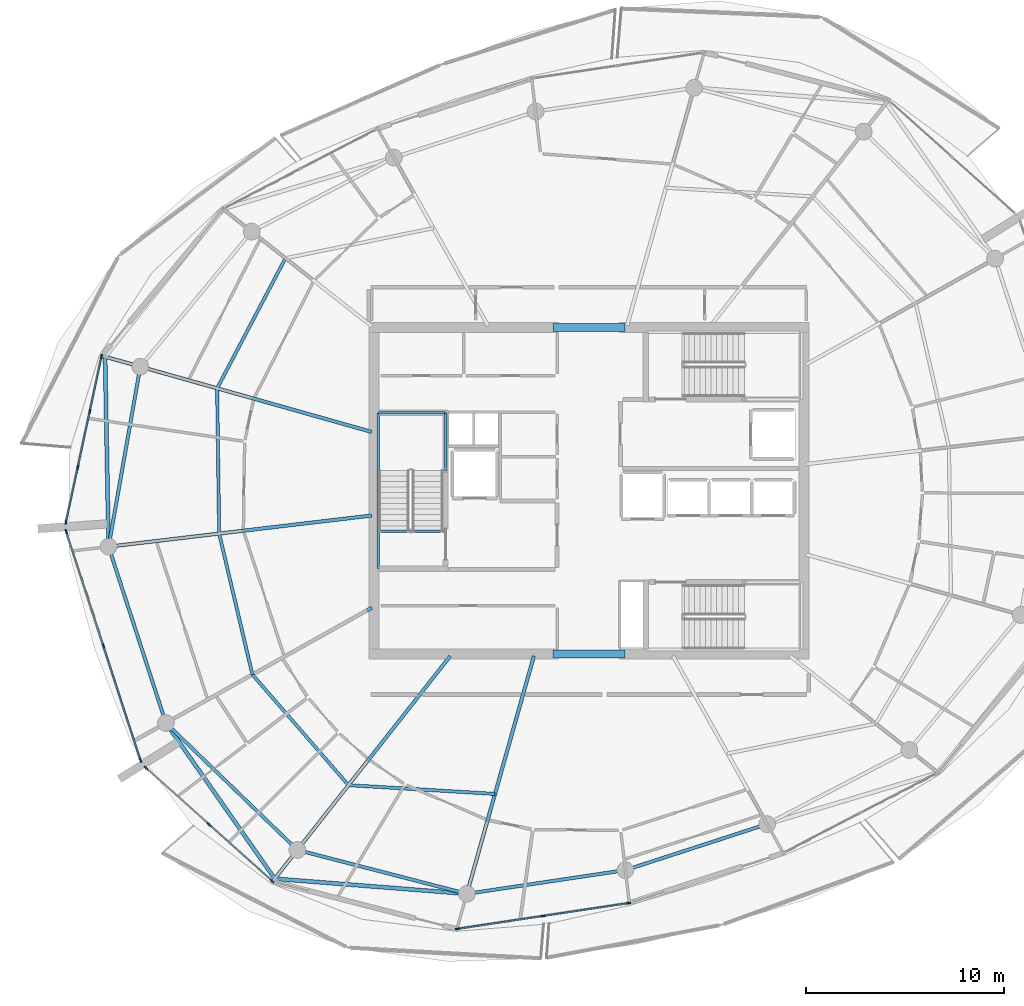
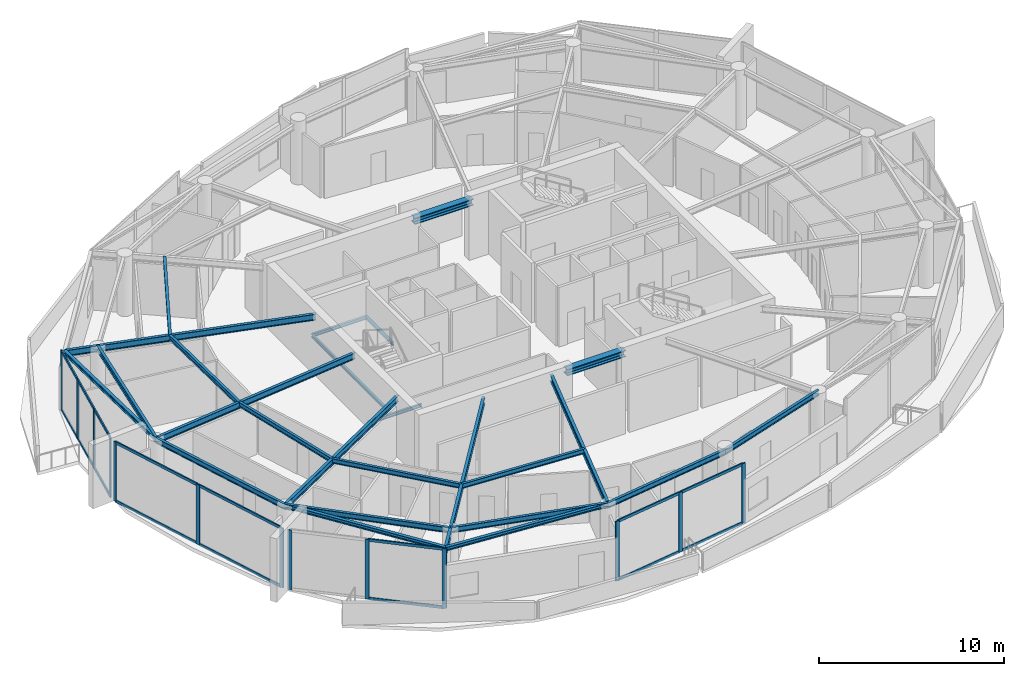
# One storey, part 5 of 20: 29 members, 25 beams, 4 elements without a shape of their own.
"""IFC4 building model written with IfcOpenShell, lengths in metres."""

from ifc_helpers import new_model, si_unit, direction, frame, origin, origin_2d, place, context, subcontext, project, spatial, rectangle, i_section, extrude, material, layer, layer_set, material_profile, profile_set, type_object, element, aggregate, save


model = new_model("IFC4")

# Units and contexts
model_context = context("Model", 3, precision=1e-05, world=origin(), true_north=direction((0.0, 1.0)))
body_context = subcontext(model_context, "Body", "Model", "MODEL_VIEW")
ifc_project = project(units=[si_unit("LENGTHUNIT", "METRE"), si_unit("AREAUNIT", "SQUARE_METRE"), si_unit("VOLUMEUNIT", "CUBIC_METRE"), si_unit("PLANEANGLEUNIT", "RADIAN"), si_unit("MASSUNIT", "GRAM", prefix="KILO")], contexts=[model_context])

# Site, building, storey
site_placement = place(None, origin())
site = spatial("IfcSite", under=ifc_project, at=site_placement, CompositionType="ELEMENT")
building_placement = place(site_placement, origin())
building = spatial("IfcBuilding", under=site, at=building_placement, Name="Kazma Halo Residences", CompositionType="ELEMENT")
storey_placement = place(building_placement, frame((0.0, 0.0, 317.89990234375)))
storey = spatial("IfcBuildingStorey", under=building, at=storey_placement, Name="L80", CompositionType="ELEMENT", Elevation=317.89990234375)

# Beams
ifc_material_1 = material(Name="Steel S355", Category="steel")
ifc_material_profile_1 = material_profile(ifc_material_1, i_section(OverallWidth=0.201904296875, OverallDepth=0.2470703125, WebThickness=0.00732421875, FlangeThickness=0.010986328125, FilletRadius=0.011962890625, at=origin_2d()), Name="W250x49.1")
ifc_profile_set_1 = profile_set([ifc_material_profile_1], Name="Steel S355")
beam_type_1 = type_object("IfcBeamType", Name="BM-BAL-CANT", PredefinedType="BEAM", material=ifc_profile_set_1)
beam_1_placement = place(storey_placement, frame((23.9638671875, 48.77880859375, 3.816650390625), z_axis=(0.018301708623, -0.999832509704, 0.0), x_axis=(0.999832509704, 0.018301708623, 0.0)))
element("IfcBeam", 1, at=beam_1_placement, inside=storey, type_object=beam_type_1, Name="L80 wave-balcony tie beam 07", PredefinedType="BEAM", context=body_context, shape_type="SweptSolid", body=[
    extrude(i_section(OverallWidth=0.201904296875, OverallDepth=0.2470703125, WebThickness=0.00732421875, FlangeThickness=0.010986328125, FilletRadius=0.011962890625, at=origin_2d()), origin(), (0.0, 0.0, 1.0), 9.604736328125),
])
beam_2_placement = place(storey_placement, frame((27.03662109375, 30.260009765625, 3.816650390625), z_axis=(0.572873629847, -0.819643705659, 0.0), x_axis=(0.819643705659, 0.572873629847, 0.0)))
element("IfcBeam", 2, at=beam_2_placement, inside=storey, type_object=beam_type_1, Name="L80 wave-balcony lead tie beam 09", PredefinedType="BEAM", context=body_context, shape_type="SweptSolid", body=[
    extrude(i_section(OverallWidth=0.201904296875, OverallDepth=0.2470703125, WebThickness=0.00732421875, FlangeThickness=0.010986328125, FilletRadius=0.011962890625, at=origin_2d()), origin(), (0.0, 0.0, 1.0), 9.6044921875),
])
beam_3_placement = place(storey_placement, frame((32.538818359375, 22.3876953125, 3.816650390625), z_axis=(0.996920506796, -0.078418767718, 0.0), x_axis=(0.078418767718, 0.996920506796, 0.0)))
element("IfcBeam", 3, at=beam_3_placement, inside=storey, type_object=beam_type_1, Name="L80 wave-balcony tie beam 10", PredefinedType="BEAM", context=body_context, shape_type="SweptSolid", body=[
    extrude(i_section(OverallWidth=0.201904296875, OverallDepth=0.2470703125, WebThickness=0.00732421875, FlangeThickness=0.010986328125, FilletRadius=0.011962890625, at=origin_2d()), origin(), (0.0, 0.0, 1.0), 9.74462890625),
])
ifc_material_profile_2 = material_profile(ifc_material_1, i_section(OverallWidth=0.408935546875, OverallDepth=0.425048828125, WebThickness=0.03271484375, FlangeThickness=0.052490234375, FilletRadius=0.02001953125, at=origin_2d()), Name="W360x421")
ifc_profile_set_2 = profile_set([ifc_material_profile_2], Name="Steel S355")
beam_type_2 = type_object("IfcBeamType", Name="BM-CORE-W360H", PredefinedType="BEAM", material=ifc_profile_set_2)
for number, where, z_axis, x_axis, name in (
    (4, (46.60009765625, 33.75, 3.7275390625), (1.0, 0.0, 0.0), (0.0, 1.0, 0.0), "L80 core coupling beam S"),
    (5, (46.60009765625, 50.25, 3.7275390625), (1.0, 0.0, 0.0), (0.0, 1.0, 0.0), "L80 core coupling beam N"),
):
    element("IfcBeam", number, at=place(storey_placement, frame(where, z_axis=z_axis, x_axis=x_axis)), inside=storey, type_object=beam_type_2, Name=name, PredefinedType="BEAM", context=body_context, shape_type="SweptSolid", body=[
        extrude(i_section(OverallWidth=0.408935546875, OverallDepth=0.425048828125, WebThickness=0.03271484375, FlangeThickness=0.052490234375, FilletRadius=0.02001953125, at=origin_2d()), origin(), (0.0, 0.0, 1.0), 3.64990234375),
    ])
ifc_material_profile_3 = material_profile(ifc_material_1, i_section(OverallWidth=0.177978515625, OverallDepth=0.406982421875, WebThickness=0.0078125, FlangeThickness=0.0126953125, FilletRadius=0.013916015625, at=origin_2d()), Name="W410x60")
ifc_profile_set_3 = profile_set([ifc_material_profile_3], Name="Steel S355")
beam_type_3 = type_object("IfcBeamType", Name="BM-RAD-W410", PredefinedType="BEAM", material=ifc_profile_set_3)
beam_4_placement = place(storey_placement, frame((37.449951171875, 44.975341796875, 3.736572265625), z_axis=(-0.962455278458, 0.27144030093, 0.0), x_axis=(-0.27144030093, -0.962455278458, 0.0)))
element("IfcBeam", 6, at=beam_4_placement, inside=storey, type_object=beam_type_3, Name="L80 radial floor beam 07", PredefinedType="BEAM", context=body_context, shape_type="SweptSolid", body=[
    extrude(i_section(OverallWidth=0.177978515625, OverallDepth=0.406982421875, WebThickness=0.0078125, FlangeThickness=0.0126953125, FilletRadius=0.013916015625, at=origin_2d()), origin(), (0.0, 0.0, 1.0), 14.01220703125),
])
beam_5_placement = place(storey_placement, frame((37.449951171875, 40.751220703125, 3.736572265625), z_axis=(-0.993067923032, -0.11754190846, 0.0), x_axis=(0.11754190846, -0.993067923032, 0.0)))
element("IfcBeam", 7, at=beam_5_placement, inside=storey, type_object=beam_type_3, Name="L80 radial floor beam 08", PredefinedType="BEAM", context=body_context, shape_type="SweptSolid", body=[
    extrude(i_section(OverallWidth=0.177978515625, OverallDepth=0.406982421875, WebThickness=0.0078125, FlangeThickness=0.0126953125, FilletRadius=0.013916015625, at=origin_2d()), origin(), (0.0, 0.0, 1.0), 13.4033203125),
])
beam_6_placement = place(storey_placement, frame((37.449951171875, 36.091796875, 3.736572265625), z_axis=(-0.872494504737, -0.4886239241, 0.0), x_axis=(0.4886239241, -0.872494504737, 0.0)))
element("IfcBeam", 8, at=beam_6_placement, inside=storey, type_object=beam_type_3, Name="L80 radial floor beam 09", PredefinedType="BEAM", context=body_context, shape_type="SweptSolid", body=[
    extrude(i_section(OverallWidth=0.177978515625, OverallDepth=0.406982421875, WebThickness=0.0078125, FlangeThickness=0.0126953125, FilletRadius=0.013916015625, at=origin_2d()), origin(), (0.0, 0.0, 1.0), 11.93505859375),
])
beam_7_placement = place(storey_placement, frame((41.41748046875, 33.64990234375, 3.736572265625), z_axis=(-0.61910487104, -0.78530832076, 0.0), x_axis=(0.78530832076, -0.61910487104, 0.0)))
element("IfcBeam", 9, at=beam_7_placement, inside=storey, type_object=beam_type_3, Name="L80 radial floor beam 10", PredefinedType="BEAM", context=body_context, shape_type="SweptSolid", body=[
    extrude(i_section(OverallWidth=0.177978515625, OverallDepth=0.406982421875, WebThickness=0.0078125, FlangeThickness=0.0126953125, FilletRadius=0.013916015625, at=origin_2d()), origin(), (0.0, 0.0, 1.0), 14.341064453125),
])
beam_8_placement = place(storey_placement, frame((45.64501953125, 33.64990234375, 3.736572265625), z_axis=(-0.271426752139, -0.962459099507, 0.0), x_axis=(0.962459099507, -0.271426752139, 0.0)))
element("IfcBeam", 10, at=beam_8_placement, inside=storey, type_object=beam_type_3, Name="L80 radial floor beam 11", PredefinedType="BEAM", context=body_context, shape_type="SweptSolid", body=[
    extrude(i_section(OverallWidth=0.177978515625, OverallDepth=0.406982421875, WebThickness=0.0078125, FlangeThickness=0.0126953125, FilletRadius=0.013916015625, at=origin_2d()), origin(), (0.0, 0.0, 1.0), 12.495361328125),
])
ifc_material_profile_4 = material_profile(ifc_material_1, i_section(OverallWidth=0.1650390625, OverallDepth=0.31005859375, WebThickness=0.005859375, FlangeThickness=0.009765625, FilletRadius=0.011962890625, at=origin_2d()), Name="W310x38.7")
ifc_profile_set_4 = profile_set([ifc_material_profile_4], Name="Steel S355")
beam_type_4 = type_object("IfcBeamType", Name="BM-SEC-W310B", PredefinedType="JOIST", material=ifc_profile_set_4)
beam_9_placement = place(storey_placement, frame((33.083251953125, 53.759521484375, 3.78515625), z_axis=(-0.464998741676, -0.885311340851, 0.0), x_axis=(0.885311340851, -0.464998741676, 0.0)))
element("IfcBeam", 11, at=beam_9_placement, inside=storey, type_object=beam_type_4, Name="L80 circumferential floor joist 06", PredefinedType="JOIST", context=body_context, shape_type="SweptSolid", body=[
    extrude(i_section(OverallWidth=0.1650390625, OverallDepth=0.31005859375, WebThickness=0.005859375, FlangeThickness=0.009765625, FilletRadius=0.011962890625, at=origin_2d()), origin(), (0.0, 0.0, 1.0), 7.43017578125),
])
beam_10_placement = place(storey_placement, frame((29.628173828125, 47.181396484375, 3.78515625), z_axis=(0.013861699983, -0.999903922021, 0.0), x_axis=(0.999903922021, 0.013861699983, 0.0)))
element("IfcBeam", 12, at=beam_10_placement, inside=storey, type_object=beam_type_4, Name="L80 circumferential floor joist 07", PredefinedType="JOIST", context=body_context, shape_type="SweptSolid", body=[
    extrude(i_section(OverallWidth=0.1650390625, OverallDepth=0.31005859375, WebThickness=0.005859375, FlangeThickness=0.009765625, FilletRadius=0.011962890625, at=origin_2d()), origin(), (0.0, 0.0, 1.0), 7.344482421875),
])
beam_11_placement = place(storey_placement, frame((29.72998046875, 39.837646484375, 3.78515625), z_axis=(0.229446221817, -0.973321340203, 0.0), x_axis=(0.973321340203, 0.229446221817, 0.0)))
element("IfcBeam", 13, at=beam_11_placement, inside=storey, type_object=beam_type_4, Name="L80 circumferential floor joist 08", PredefinedType="JOIST", context=body_context, shape_type="SweptSolid", body=[
    extrude(i_section(OverallWidth=0.1650390625, OverallDepth=0.31005859375, WebThickness=0.005859375, FlangeThickness=0.009765625, FilletRadius=0.011962890625, at=origin_2d()), origin(), (0.0, 0.0, 1.0), 7.32373046875),
])
beam_12_placement = place(storey_placement, frame((31.410400390625, 32.709228515625, 3.78515625), z_axis=(0.655826094878, -0.754912003664, 0.0), x_axis=(0.754912003664, 0.655826094878, 0.0)))
element("IfcBeam", 14, at=beam_12_placement, inside=storey, type_object=beam_type_4, Name="L80 circumferential floor joist 09", PredefinedType="JOIST", context=body_context, shape_type="SweptSolid", body=[
    extrude(i_section(OverallWidth=0.1650390625, OverallDepth=0.31005859375, WebThickness=0.005859375, FlangeThickness=0.009765625, FilletRadius=0.011962890625, at=origin_2d()), origin(), (0.0, 0.0, 1.0), 7.406494140625),
])
beam_13_placement = place(storey_placement, frame((36.267822265625, 27.117919921875, 3.78515625), z_axis=(0.998216858477, -0.059691736892, 0.0), x_axis=(0.059691736892, 0.998216858477, 0.0)))
element("IfcBeam", 15, at=beam_13_placement, inside=storey, type_object=beam_type_4, Name="L80 circumferential floor joist 10", PredefinedType="JOIST", context=body_context, shape_type="SweptSolid", body=[
    extrude(i_section(OverallWidth=0.1650390625, OverallDepth=0.31005859375, WebThickness=0.005859375, FlangeThickness=0.009765625, FilletRadius=0.011962890625, at=origin_2d()), origin(), (0.0, 0.0, 1.0), 7.42333984375),
])
ifc_material_profile_5 = material_profile(ifc_material_1, i_section(OverallWidth=0.1708984375, OverallDepth=0.35498046875, WebThickness=0.007080078125, FlangeThickness=0.01171875, FilletRadius=0.013916015625, at=origin_2d()), Name="W360x51")
ifc_profile_set_5 = profile_set([ifc_material_profile_5], Name="Steel S355")
beam_type_5 = type_object("IfcBeamType", Name="BM-SPN-W360", PredefinedType="BEAM", material=ifc_profile_set_5)
beam_14_placement = place(storey_placement, frame((25.744384765625, 48.276611328125, 3.7626953125), z_axis=(-0.173649692956, -0.984807485825, 0.0), x_axis=(0.984807485825, -0.173649692956, 0.0)))
element("IfcBeam", 16, at=beam_14_placement, inside=storey, type_object=beam_type_5, Name="L80 perimeter ring beam 07", PredefinedType="BEAM", context=body_context, shape_type="SweptSolid", body=[
    extrude(i_section(OverallWidth=0.1708984375, OverallDepth=0.35498046875, WebThickness=0.007080078125, FlangeThickness=0.01171875, FilletRadius=0.013916015625, at=origin_2d()), origin(), (0.0, 0.0, 1.0), 9.2412109375),
])
beam_15_placement = place(storey_placement, frame((24.1396484375, 39.17578125, 3.7626953125), z_axis=(0.309023062674, -0.951054544564, 0.0), x_axis=(0.951054544564, 0.309023062674, 0.0)))
element("IfcBeam", 17, at=beam_15_placement, inside=storey, type_object=beam_type_5, Name="L80 perimeter ring beam 08", PredefinedType="BEAM", context=body_context, shape_type="SweptSolid", body=[
    extrude(i_section(OverallWidth=0.1708984375, OverallDepth=0.35498046875, WebThickness=0.007080078125, FlangeThickness=0.01171875, FilletRadius=0.013916015625, at=origin_2d()), origin(), (0.0, 0.0, 1.0), 9.37451171875),
])
beam_16_placement = place(storey_placement, frame((27.03662109375, 30.260009765625, 3.7626953125), z_axis=(0.71933681628, -0.694661460529, 0.0), x_axis=(0.694661460529, 0.71933681628, 0.0)))
element("IfcBeam", 18, at=beam_16_placement, inside=storey, type_object=beam_type_5, Name="L80 perimeter ring beam 09", PredefinedType="BEAM", context=body_context, shape_type="SweptSolid", body=[
    extrude(i_section(OverallWidth=0.1708984375, OverallDepth=0.35498046875, WebThickness=0.007080078125, FlangeThickness=0.01171875, FilletRadius=0.013916015625, at=origin_2d()), origin(), (0.0, 0.0, 1.0), 9.2412109375),
])
beam_17_placement = place(storey_placement, frame((33.68408203125, 23.840576171875, 3.7626953125), z_axis=(0.968124082793, -0.250471076805, 0.0), x_axis=(0.250471076805, 0.968124082793, 0.0)))
element("IfcBeam", 19, at=beam_17_placement, inside=storey, type_object=beam_type_5, Name="L80 perimeter ring beam 10", PredefinedType="BEAM", context=body_context, shape_type="SweptSolid", body=[
    extrude(i_section(OverallWidth=0.1708984375, OverallDepth=0.35498046875, WebThickness=0.007080078125, FlangeThickness=0.01171875, FilletRadius=0.013916015625, at=origin_2d()), origin(), (0.0, 0.0, 1.0), 8.8515625),
])
beam_18_placement = place(storey_placement, frame((42.25341796875, 21.62353515625, 3.7626953125), z_axis=(0.989030710595, 0.147710031817, 0.0), x_axis=(-0.147710031817, 0.989030710595, 0.0)))
element("IfcBeam", 20, at=beam_18_placement, inside=storey, type_object=beam_type_5, Name="L80 perimeter ring beam 11", PredefinedType="BEAM", context=body_context, shape_type="SweptSolid", body=[
    extrude(i_section(OverallWidth=0.1708984375, OverallDepth=0.35498046875, WebThickness=0.007080078125, FlangeThickness=0.01171875, FilletRadius=0.013916015625, at=origin_2d()), origin(), (0.0, 0.0, 1.0), 8.10546875),
])
beam_19_placement = place(storey_placement, frame((50.27001953125, 22.82080078125, 3.7626953125), z_axis=(0.951056684666, 0.309016476183, 0.0), x_axis=(-0.309016476183, 0.951056684666, 0.0)))
element("IfcBeam", 21, at=beam_19_placement, inside=storey, type_object=beam_type_5, Name="L80 perimeter ring beam 12", PredefinedType="BEAM", context=body_context, shape_type="SweptSolid", body=[
    extrude(i_section(OverallWidth=0.1708984375, OverallDepth=0.35498046875, WebThickness=0.007080078125, FlangeThickness=0.01171875, FilletRadius=0.013916015625, at=origin_2d()), origin(), (0.0, 0.0, 1.0), 7.53564453125),
])
ifc_material_profile_6 = material_profile(ifc_material_1, i_section(OverallWidth=0.133056640625, OverallDepth=0.20703125, WebThickness=0.005859375, FlangeThickness=0.00830078125, FilletRadius=0.010009765625, at=origin_2d()), Name="W200x26.6")
ifc_profile_set_6 = profile_set([ifc_material_profile_6], Name="Steel S355")
beam_type_6 = type_object("IfcBeamType", Name="BM-TRIM-W200", PredefinedType="BEAM", material=ifc_profile_set_6)
beam_20_placement = place(storey_placement, frame((37.800048828125, 39.949951171875, -0.369873046875), z_axis=(1.0, 0.0, 0.0), x_axis=(0.0, 1.0, 0.0)))
element("IfcBeam", 22, at=beam_20_placement, inside=storey, type_object=beam_type_6, Name="L80 ST-01 floor landing support beam", PredefinedType="BEAM", context=body_context, shape_type="SweptSolid", body=[
    extrude(i_section(OverallWidth=0.133056640625, OverallDepth=0.20703125, WebThickness=0.005859375, FlangeThickness=0.00830078125, FilletRadius=0.010009765625, at=origin_2d()), origin(), (0.0, 0.0, 1.0), 3.3798828125),
])
beam_21_placement = place(storey_placement, frame((37.780029296875, 38.06005859375, 1.795166015625), z_axis=(0.0, 1.0, 0.0), x_axis=(-1.0, 0.0, 0.0)))
element("IfcBeam", 23, at=beam_21_placement, inside=storey, type_object=beam_type_6, Name="L80 ST-01 landing west wall ledger", PredefinedType="BEAM", context=body_context, shape_type="SweptSolid", body=[
    extrude(i_section(OverallWidth=0.133056640625, OverallDepth=0.20703125, WebThickness=0.005859375, FlangeThickness=0.00830078125, FilletRadius=0.010009765625, at=origin_2d()), origin(), (0.0, 0.0, 1.0), 7.8798828125),
])
beam_22_placement = place(storey_placement, frame((41.179931640625, 43.030029296875, 1.795166015625), z_axis=(0.0, 1.0, 0.0), x_axis=(-1.0, 0.0, 0.0)))
element("IfcBeam", 24, at=beam_22_placement, inside=storey, type_object=beam_type_6, Name="L80 ST-01 landing east wall ledger", PredefinedType="BEAM", context=body_context, shape_type="SweptSolid", body=[
    extrude(i_section(OverallWidth=0.133056640625, OverallDepth=0.20703125, WebThickness=0.005859375, FlangeThickness=0.00830078125, FilletRadius=0.010009765625, at=origin_2d()), origin(), (0.0, 0.0, 1.0), 2.909912109375),
])
beam_23_placement = place(storey_placement, frame((37.780029296875, 45.93994140625, 1.795166015625), z_axis=(1.0, 0.0, 0.0), x_axis=(0.0, 1.0, 0.0)))
element("IfcBeam", 25, at=beam_23_placement, inside=storey, type_object=beam_type_6, Name="L80 ST-01 landing end wall ledger", PredefinedType="BEAM", context=body_context, shape_type="SweptSolid", body=[
    extrude(i_section(OverallWidth=0.133056640625, OverallDepth=0.20703125, WebThickness=0.005859375, FlangeThickness=0.00830078125, FilletRadius=0.010009765625, at=origin_2d()), origin(), (0.0, 0.0, 1.0), 3.39990234375),
])

# Curtain wall, members
ifc_material_2 = material(Name="Aluminium AW-6063 T6 and Triple-Silver Low-E Glass", Category="aluminium")
ifc_layer = layer(ifc_material_2, 0.239990234375)
ifc_layer_set = layer_set([ifc_layer], Name="Aluminium AW-6063 T6 and Triple-Silver Low-E Glass")
curtain_wall_type = type_object("IfcCurtainWallType", Name="CW-SYS-6", PredefinedType="NOTDEFINED", material=ifc_layer_set)
curtain_wall_1_placement = place(storey_placement, origin())
curtain_wall_1 = element("IfcCurtainWall", 26, at=curtain_wall_1_placement, inside=storey, type_object=curtain_wall_type, Name="L80 unitised curtain wall B07", PredefinedType="NOTDEFINED")
ifc_material_3 = material(Name="Aluminium AW-6063 T6", Category="aluminium")
ifc_material_profile_7 = material_profile(ifc_material_3, rectangle(XDim=0.080078125, YDim=0.239990234375, at=origin_2d()), Name="CWM-80x240")
ifc_profile_set_7 = profile_set([ifc_material_profile_7], Name="Aluminium AW-6063 T6")
member_type_1 = type_object("IfcMemberType", Name="CW-SYS-6-MUL", PredefinedType="MULLION", material=ifc_profile_set_7)
member_1_placement = place(storey_placement, frame((23.7841796875, 48.7880859375, 0.0), z_axis=(0.0, 0.0, 1.0), x_axis=(0.977760865363, -0.209722888986, 0.0)))
member_1 = element("IfcMember", 27, at=member_1_placement, type_object=member_type_1, Name="CWS-6 mullion 1", PredefinedType="MULLION", context=body_context, shape_type="SweptSolid", body=[
    extrude(rectangle(XDim=0.080078125, YDim=0.239990234375, at=origin_2d()), origin(), (0.0, 0.0, 1.0), 3.940185546875),
])
member_2_placement = place(storey_placement, frame((23.18896484375, 46.013427734375, 0.0), z_axis=(0.0, 0.0, 1.0), x_axis=(0.977760865363, -0.209722888986, 0.0)))
member_2 = element("IfcMember", 28, at=member_2_placement, type_object=member_type_1, Name="CWS-6 mullion 2", PredefinedType="MULLION", context=body_context, shape_type="SweptSolid", body=[
    extrude(rectangle(XDim=0.080078125, YDim=0.239990234375, at=origin_2d()), origin(), (0.0, 0.0, 1.0), 3.940185546875),
])
member_3_placement = place(storey_placement, frame((22.58544921875, 43.19970703125, 0.0), z_axis=(0.0, 0.0, 1.0), x_axis=(0.977760865363, -0.209722888986, 0.0)))
member_3 = element("IfcMember", 29, at=member_3_placement, type_object=member_type_1, Name="CWS-6 mullion 3", PredefinedType="MULLION", context=body_context, shape_type="SweptSolid", body=[
    extrude(rectangle(XDim=0.080078125, YDim=0.239990234375, at=origin_2d()), origin(), (0.0, 0.0, 1.0), 3.940185546875),
])
member_4_placement = place(storey_placement, frame((21.990234375, 40.425048828125, 0.0), z_axis=(0.0, 0.0, 1.0), x_axis=(0.977760865363, -0.209722888986, 0.0)))
member_4 = element("IfcMember", 30, at=member_4_placement, type_object=member_type_1, Name="CWS-6 mullion 4", PredefinedType="MULLION", context=body_context, shape_type="SweptSolid", body=[
    extrude(rectangle(XDim=0.080078125, YDim=0.239990234375, at=origin_2d()), origin(), (0.0, 0.0, 1.0), 3.940185546875),
])

curtain_wall_2_placement = place(storey_placement, origin())
curtain_wall_2 = element("IfcCurtainWall", 31, at=curtain_wall_2_placement, inside=storey, type_object=curtain_wall_type, Name="L80 unitised curtain wall B08", PredefinedType="NOTDEFINED")
member_5_placement = place(storey_placement, frame((22.0009765625, 39.937744140625, 0.0), z_axis=(0.0, 0.0, 1.0), x_axis=(0.951055886462, 0.309018932797, 0.0)))
member_5 = element("IfcMember", 32, at=member_5_placement, type_object=member_type_1, Name="CWS-6 mullion 1", PredefinedType="MULLION", context=body_context, shape_type="SweptSolid", body=[
    extrude(rectangle(XDim=0.080078125, YDim=0.239990234375, at=origin_2d()), origin(), (0.0, 0.0, 1.0), 3.940185546875),
])
member_6_placement = place(storey_placement, frame((23.87744140625, 34.162109375, 0.0), z_axis=(0.0, 0.0, 1.0), x_axis=(0.951055886462, 0.309018932797, 0.0)))
member_6 = element("IfcMember", 33, at=member_6_placement, type_object=member_type_1, Name="CWS-6 mullion 2", PredefinedType="MULLION", context=body_context, shape_type="SweptSolid", body=[
    extrude(rectangle(XDim=0.080078125, YDim=0.239990234375, at=origin_2d()), origin(), (0.0, 0.0, 1.0), 3.940185546875),
])
member_7_placement = place(storey_placement, frame((25.754150390625, 28.38671875, 0.0), z_axis=(0.0, 0.0, 1.0), x_axis=(0.951055886462, 0.309018932797, 0.0)))
member_7 = element("IfcMember", 34, at=member_7_placement, type_object=member_type_1, Name="CWS-6 mullion 3", PredefinedType="MULLION", context=body_context, shape_type="SweptSolid", body=[
    extrude(rectangle(XDim=0.080078125, YDim=0.239990234375, at=origin_2d()), origin(), (0.0, 0.0, 1.0), 3.940185546875),
])

curtain_wall_3_placement = place(storey_placement, origin())
curtain_wall_3 = element("IfcCurtainWall", 35, at=curtain_wall_3_placement, inside=storey, type_object=curtain_wall_type, Name="L80 unitised curtain wall B09", PredefinedType="NOTDEFINED")
member_8_placement = place(storey_placement, frame((26.031982421875, 27.986083984375, 0.0), z_axis=(0.0, 0.0, 1.0), x_axis=(0.667757559118, 0.744378829791, 0.0)))
member_8 = element("IfcMember", 36, at=member_8_placement, type_object=member_type_1, Name="CWS-6 mullion 1", PredefinedType="MULLION", context=body_context, shape_type="SweptSolid", body=[
    extrude(rectangle(XDim=0.080078125, YDim=0.239990234375, at=origin_2d()), origin(), (0.0, 0.0, 1.0), 3.940185546875),
])
member_9_placement = place(storey_placement, frame((29.21533203125, 25.13037109375, 0.0), z_axis=(0.0, 0.0, 1.0), x_axis=(0.667757559118, 0.744378829791, 0.0)))
member_9 = element("IfcMember", 37, at=member_9_placement, type_object=member_type_1, Name="CWS-6 mullion 2", PredefinedType="MULLION", context=body_context, shape_type="SweptSolid", body=[
    extrude(rectangle(XDim=0.080078125, YDim=0.239990234375, at=origin_2d()), origin(), (0.0, 0.0, 1.0), 3.940185546875),
])
member_10_placement = place(storey_placement, frame((32.39892578125, 22.2744140625, 0.0), z_axis=(0.0, 0.0, 1.0), x_axis=(0.667757559118, 0.744378829791, 0.0)))
member_10 = element("IfcMember", 38, at=member_10_placement, type_object=member_type_1, Name="CWS-6 mullion 3", PredefinedType="MULLION", context=body_context, shape_type="SweptSolid", body=[
    extrude(rectangle(XDim=0.080078125, YDim=0.239990234375, at=origin_2d()), origin(), (0.0, 0.0, 1.0), 3.940185546875),
])

curtain_wall_4_placement = place(storey_placement, origin())
curtain_wall_4 = element("IfcCurtainWall", 39, at=curtain_wall_4_placement, inside=storey, type_object=curtain_wall_type, Name="L80 unitised curtain wall B11", PredefinedType="NOTDEFINED")
member_11_placement = place(storey_placement, frame((41.79150390625, 19.85205078125, 0.0), z_axis=(0.0, 0.0, 1.0), x_axis=(-0.148870876743, 0.988856643836, 0.0)))
member_11 = element("IfcMember", 40, at=member_11_placement, type_object=member_type_1, Name="CWS-6 mullion 1", PredefinedType="MULLION", context=body_context, shape_type="SweptSolid", body=[
    extrude(rectangle(XDim=0.080078125, YDim=0.239990234375, at=origin_2d()), origin(), (0.0, 0.0, 1.0), 3.940185546875),
])
member_12_placement = place(storey_placement, frame((46.109375, 20.502197265625, 0.0), z_axis=(0.0, 0.0, 1.0), x_axis=(-0.148870876743, 0.988856643836, 0.0)))
member_12 = element("IfcMember", 41, at=member_12_placement, type_object=member_type_1, Name="CWS-6 mullion 2", PredefinedType="MULLION", context=body_context, shape_type="SweptSolid", body=[
    extrude(rectangle(XDim=0.080078125, YDim=0.239990234375, at=origin_2d()), origin(), (0.0, 0.0, 1.0), 3.940185546875),
])
member_13_placement = place(storey_placement, frame((50.42724609375, 21.15234375, 0.0), z_axis=(0.0, 0.0, 1.0), x_axis=(-0.148870876743, 0.988856643836, 0.0)))
member_13 = element("IfcMember", 42, at=member_13_placement, type_object=member_type_1, Name="CWS-6 mullion 3", PredefinedType="MULLION", context=body_context, shape_type="SweptSolid", body=[
    extrude(rectangle(XDim=0.080078125, YDim=0.239990234375, at=origin_2d()), origin(), (0.0, 0.0, 1.0), 3.940185546875),
])

# Member
ifc_material_profile_8 = material_profile(ifc_material_3, rectangle(XDim=0.080078125, YDim=0.179931640625, at=origin_2d()), Name="CWT-80x180")
ifc_profile_set_8 = profile_set([ifc_material_profile_8], Name="Aluminium AW-6063 T6")
member_type_2 = type_object("IfcMemberType", Name="CW-SYS-6-TRN", PredefinedType="USERDEFINED", material=ifc_profile_set_8)
member_14_placement = place(storey_placement, frame((23.775634765625, 48.7490234375, 0.0400390625), z_axis=(-0.209716499477, -0.977762235846, 0.0), x_axis=(0.977762235846, -0.209716499477, 0.0)))
member_14 = element("IfcMember", 43, at=member_14_placement, type_object=member_type_2, Name="CWS-6 transom 1.1", ObjectType="TRANSOM", PredefinedType="USERDEFINED", context=body_context, shape_type="SweptSolid", body=[
    extrude(rectangle(XDim=0.080078125, YDim=0.179931640625, at=origin_2d()), origin(), (0.0, 0.0, 1.0), 2.7578125),
])

member_15_placement = place(storey_placement, frame((23.775634765625, 48.7490234375, 3.900146484375), z_axis=(-0.209716499477, -0.977762235846, 0.0), x_axis=(0.977762235846, -0.209716499477, 0.0)))
member_15 = element("IfcMember", 44, at=member_15_placement, type_object=member_type_2, Name="CWS-6 transom 1.2", ObjectType="TRANSOM", PredefinedType="USERDEFINED", context=body_context, shape_type="SweptSolid", body=[
    extrude(rectangle(XDim=0.080078125, YDim=0.179931640625, at=origin_2d()), origin(), (0.0, 0.0, 1.0), 2.7578125),
])

member_16_placement = place(storey_placement, frame((23.1806640625, 45.974365234375, 0.0400390625), z_axis=(-0.209773410621, -0.977750027459, 0.0), x_axis=(0.977750027459, -0.209773410621, 0.0)))
member_16 = element("IfcMember", 45, at=member_16_placement, type_object=member_type_2, Name="CWS-6 transom 2.1", ObjectType="TRANSOM", PredefinedType="USERDEFINED", context=body_context, shape_type="SweptSolid", body=[
    extrude(rectangle(XDim=0.080078125, YDim=0.179931640625, at=origin_2d()), origin(), (0.0, 0.0, 1.0), 2.7978515625),
])

member_17_placement = place(storey_placement, frame((23.1806640625, 45.974365234375, 3.900146484375), z_axis=(-0.209773410621, -0.977750027459, 0.0), x_axis=(0.977750027459, -0.209773410621, 0.0)))
member_17 = element("IfcMember", 46, at=member_17_placement, type_object=member_type_2, Name="CWS-6 transom 2.2", ObjectType="TRANSOM", PredefinedType="USERDEFINED", context=body_context, shape_type="SweptSolid", body=[
    extrude(rectangle(XDim=0.080078125, YDim=0.179931640625, at=origin_2d()), origin(), (0.0, 0.0, 1.0), 2.7978515625),
])

member_18_placement = place(storey_placement, frame((22.5771484375, 43.16064453125, 0.0400390625), z_axis=(-0.209716499477, -0.977762235846, 0.0), x_axis=(0.977762235846, -0.209716499477, 0.0)))
member_18 = element("IfcMember", 47, at=member_18_placement, type_object=member_type_2, Name="CWS-6 transom 3.1", ObjectType="TRANSOM", PredefinedType="USERDEFINED", context=body_context, shape_type="SweptSolid", body=[
    extrude(rectangle(XDim=0.080078125, YDim=0.179931640625, at=origin_2d()), origin(), (0.0, 0.0, 1.0), 2.7578125),
])

member_19_placement = place(storey_placement, frame((22.5771484375, 43.16064453125, 3.900146484375), z_axis=(-0.209716499477, -0.977762235846, 0.0), x_axis=(0.977762235846, -0.209716499477, 0.0)))
member_19 = element("IfcMember", 48, at=member_19_placement, type_object=member_type_2, Name="CWS-6 transom 3.2", ObjectType="TRANSOM", PredefinedType="USERDEFINED", context=body_context, shape_type="SweptSolid", body=[
    extrude(rectangle(XDim=0.080078125, YDim=0.179931640625, at=origin_2d()), origin(), (0.0, 0.0, 1.0), 2.7578125),
])

aggregate(curtain_wall_1, [member_1, member_2, member_3, member_4, member_14, member_15, member_16, member_17, member_18, member_19])

member_20_placement = place(storey_placement, frame((22.013427734375, 39.899658203125, 0.0400390625), z_axis=(0.309007770724, -0.951059513191, 0.0), x_axis=(0.951059513191, 0.309007770724, 0.0)))
member_20 = element("IfcMember", 49, at=member_20_placement, type_object=member_type_2, Name="CWS-6 transom 1.1", ObjectType="TRANSOM", PredefinedType="USERDEFINED", context=body_context, shape_type="SweptSolid", body=[
    extrude(rectangle(XDim=0.080078125, YDim=0.179931640625, at=origin_2d()), origin(), (0.0, 0.0, 1.0), 5.99267578125),
])

member_21_placement = place(storey_placement, frame((22.013427734375, 39.899658203125, 3.900146484375), z_axis=(0.309007770724, -0.951059513191, 0.0), x_axis=(0.951059513191, 0.309007770724, 0.0)))
member_21 = element("IfcMember", 50, at=member_21_placement, type_object=member_type_2, Name="CWS-6 transom 1.2", ObjectType="TRANSOM", PredefinedType="USERDEFINED", context=body_context, shape_type="SweptSolid", body=[
    extrude(rectangle(XDim=0.080078125, YDim=0.179931640625, at=origin_2d()), origin(), (0.0, 0.0, 1.0), 5.99267578125),
])

member_22_placement = place(storey_placement, frame((23.889892578125, 34.1240234375, 0.0400390625), z_axis=(0.309019743831, -0.951055622938, 0.0), x_axis=(0.951055622938, 0.309019743831, 0.0)))
member_22 = element("IfcMember", 51, at=member_22_placement, type_object=member_type_2, Name="CWS-6 transom 2.1", ObjectType="TRANSOM", PredefinedType="USERDEFINED", context=body_context, shape_type="SweptSolid", body=[
    extrude(rectangle(XDim=0.080078125, YDim=0.179931640625, at=origin_2d()), origin(), (0.0, 0.0, 1.0), 5.992431640625),
])

member_23_placement = place(storey_placement, frame((23.889892578125, 34.1240234375, 3.900146484375), z_axis=(0.309019743831, -0.951055622938, 0.0), x_axis=(0.951055622938, 0.309019743831, 0.0)))
member_23 = element("IfcMember", 52, at=member_23_placement, type_object=member_type_2, Name="CWS-6 transom 2.2", ObjectType="TRANSOM", PredefinedType="USERDEFINED", context=body_context, shape_type="SweptSolid", body=[
    extrude(rectangle(XDim=0.080078125, YDim=0.179931640625, at=origin_2d()), origin(), (0.0, 0.0, 1.0), 5.992431640625),
])

aggregate(curtain_wall_2, [member_5, member_6, member_7, member_20, member_21, member_22, member_23])

member_24_placement = place(storey_placement, frame((29.2451171875, 25.103515625, 0.0400390625), z_axis=(0.744403905463, -0.667729605103, 0.0), x_axis=(0.667729605103, 0.744403905463, 0.0)))
member_24 = element("IfcMember", 53, at=member_24_placement, type_object=member_type_2, Name="CWS-6 transom 2.1", ObjectType="TRANSOM", PredefinedType="USERDEFINED", context=body_context, shape_type="SweptSolid", body=[
    extrude(rectangle(XDim=0.080078125, YDim=0.179931640625, at=origin_2d()), origin(), (0.0, 0.0, 1.0), 4.19677734375),
])

member_25_placement = place(storey_placement, frame((29.2451171875, 25.103515625, 3.900146484375), z_axis=(0.744403905463, -0.667729605103, 0.0), x_axis=(0.667729605103, 0.744403905463, 0.0)))
member_25 = element("IfcMember", 54, at=member_25_placement, type_object=member_type_2, Name="CWS-6 transom 2.2", ObjectType="TRANSOM", PredefinedType="USERDEFINED", context=body_context, shape_type="SweptSolid", body=[
    extrude(rectangle(XDim=0.080078125, YDim=0.179931640625, at=origin_2d()), origin(), (0.0, 0.0, 1.0), 4.19677734375),
])

aggregate(curtain_wall_3, [member_8, member_9, member_10, member_24, member_25])

member_26_placement = place(storey_placement, frame((41.8310546875, 19.858154296875, 0.0400390625), z_axis=(0.988855159078, 0.14888073873, 0.0), x_axis=(-0.14888073873, 0.988855159078, 0.0)))
member_26 = element("IfcMember", 55, at=member_26_placement, type_object=member_type_2, Name="CWS-6 transom 1.1", ObjectType="TRANSOM", PredefinedType="USERDEFINED", context=body_context, shape_type="SweptSolid", body=[
    extrude(rectangle(XDim=0.080078125, YDim=0.179931640625, at=origin_2d()), origin(), (0.0, 0.0, 1.0), 4.28662109375),
])

member_27_placement = place(storey_placement, frame((41.8310546875, 19.858154296875, 3.900146484375), z_axis=(0.988855159078, 0.14888073873, 0.0), x_axis=(-0.14888073873, 0.988855159078, 0.0)))
member_27 = element("IfcMember", 56, at=member_27_placement, type_object=member_type_2, Name="CWS-6 transom 1.2", ObjectType="TRANSOM", PredefinedType="USERDEFINED", context=body_context, shape_type="SweptSolid", body=[
    extrude(rectangle(XDim=0.080078125, YDim=0.179931640625, at=origin_2d()), origin(), (0.0, 0.0, 1.0), 4.28662109375),
])

member_28_placement = place(storey_placement, frame((46.14892578125, 20.508056640625, 0.0400390625), z_axis=(0.988855159078, 0.14888073873, 0.0), x_axis=(-0.14888073873, 0.988855159078, 0.0)))
member_28 = element("IfcMember", 57, at=member_28_placement, type_object=member_type_2, Name="CWS-6 transom 2.1", ObjectType="TRANSOM", PredefinedType="USERDEFINED", context=body_context, shape_type="SweptSolid", body=[
    extrude(rectangle(XDim=0.080078125, YDim=0.179931640625, at=origin_2d()), origin(), (0.0, 0.0, 1.0), 4.28662109375),
])

member_29_placement = place(storey_placement, frame((46.14892578125, 20.508056640625, 3.900146484375), z_axis=(0.988855159078, 0.14888073873, 0.0), x_axis=(-0.14888073873, 0.988855159078, 0.0)))
member_29 = element("IfcMember", 58, at=member_29_placement, type_object=member_type_2, Name="CWS-6 transom 2.2", ObjectType="TRANSOM", PredefinedType="USERDEFINED", context=body_context, shape_type="SweptSolid", body=[
    extrude(rectangle(XDim=0.080078125, YDim=0.179931640625, at=origin_2d()), origin(), (0.0, 0.0, 1.0), 4.28662109375),
])

aggregate(curtain_wall_4, [member_11, member_12, member_13, member_26, member_27, member_28, member_29])

save(model, "model.ifc")
